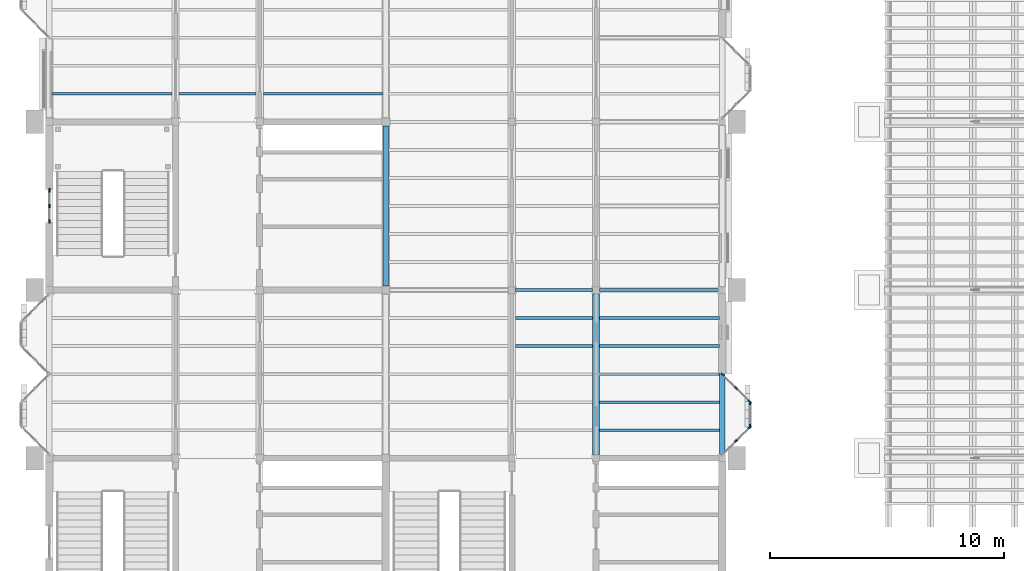
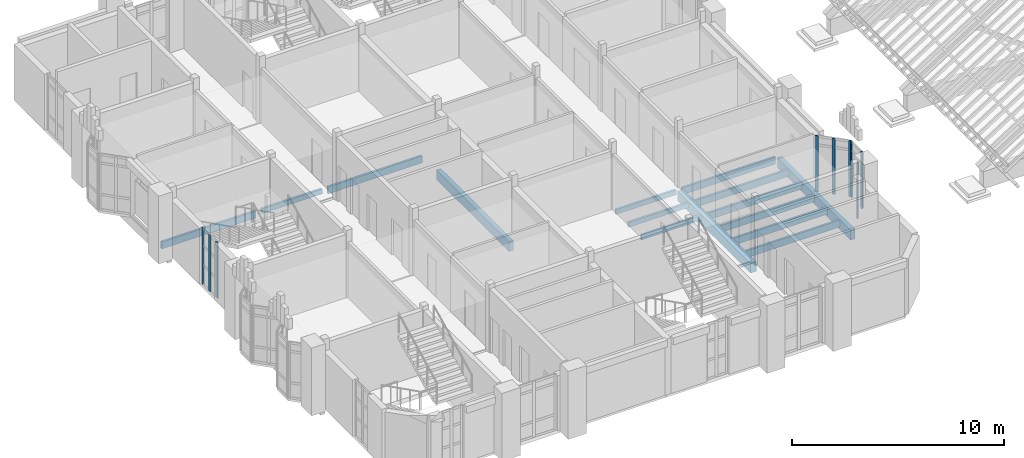
# One storey, part 5 of 71: 15 beams, 10 members, 4 elements without a shape of their own.
"""IFC4 building model written with IfcOpenShell, lengths in metres."""

from ifc_helpers import new_model, si_unit, direction, frame, origin, origin_2d, place, context, subcontext, project, spatial, rectangle, extrude, material, layer, layer_set, material_profile, profile_set, type_object, element, aggregate, save


model = new_model("IFC4")

# Units and contexts
model_context = context("Model", 3, precision=1e-05, world=origin(), true_north=direction((0.0, 1.0)))
body_context = subcontext(model_context, "Body", "Model", "MODEL_VIEW")
ifc_project = project(units=[si_unit("LENGTHUNIT", "METRE"), si_unit("AREAUNIT", "SQUARE_METRE"), si_unit("VOLUMEUNIT", "CUBIC_METRE"), si_unit("PLANEANGLEUNIT", "RADIAN"), si_unit("MASSUNIT", "GRAM", prefix="KILO")], contexts=[model_context])

# Site, building, storey
site_placement = place(None, origin())
site = spatial("IfcSite", under=ifc_project, at=site_placement, CompositionType="ELEMENT")
building_placement = place(site_placement, origin())
building = spatial("IfcBuilding", under=site, at=building_placement, Name="Mazhai Court Health Centre", CompositionType="ELEMENT")
storey_placement = place(building_placement, frame((0.0, 0.0, 10.199951171875)))
storey = spatial("IfcBuildingStorey", under=building, at=storey_placement, Name="L02", CompositionType="ELEMENT", Elevation=10.199951171875)

# Curtain wall, members
ifc_material_1 = material(Name="Teak timber frame, glazed", Category="wood")
ifc_layer_1 = layer(ifc_material_1, 0.10009765625)
ifc_layer_set_1 = layer_set([ifc_layer_1], Name="CURTAIN WALL TIMBER 600")
curtain_wall_type_1 = type_object("IfcCurtainWallType", Name="CURTAIN WALL TIMBER 600", PredefinedType="NOTDEFINED", material=ifc_layer_set_1)
curtain_wall_1_placement = place(storey_placement, origin())
curtain_wall_1 = element("IfcCurtainWall", 1, at=curtain_wall_1_placement, inside=storey, type_object=curtain_wall_type_1, Name="CW-V2-L02-A2", PredefinedType="NOTDEFINED")
ifc_material_2 = material(Name="Teak timber", Category="wood")
ifc_material_profile_1 = material_profile(ifc_material_2, rectangle(XDim=0.06005859375, YDim=0.159912109375, at=origin_2d()), Name="CW MULLION 60x160")
ifc_profile_set_1 = profile_set([ifc_material_profile_1], Name="Teak timber")
member_type = type_object("IfcMemberType", Name="CW MULLION 60x160", PredefinedType="MULLION", material=ifc_profile_set_1)
member_1_placement = place(storey_placement, frame((6.199951171875, 23.530029296875, 0.0), z_axis=(0.0, 0.0, 1.0), x_axis=(-1.0, 0.0, 0.0)))
member_1 = element("IfcMember", 2, at=member_1_placement, type_object=member_type, Name="CW mullion 1", PredefinedType="MULLION", context=body_context, shape_type="SweptSolid", body=[
    extrude(rectangle(XDim=0.06005859375, YDim=0.159912109375, at=origin_2d()), origin(), (0.0, 0.0, 1.0), 3.219970703125),
])
member_2_placement = place(storey_placement, frame((6.199951171875, 24.199951171875, 0.0), z_axis=(0.0, 0.0, 1.0), x_axis=(-1.0, 0.0, 0.0)))
member_2 = element("IfcMember", 3, at=member_2_placement, type_object=member_type, Name="CW mullion 2", PredefinedType="MULLION", context=body_context, shape_type="SweptSolid", body=[
    extrude(rectangle(XDim=0.06005859375, YDim=0.159912109375, at=origin_2d()), origin(), (0.0, 0.0, 1.0), 3.219970703125),
])
member_3_placement = place(storey_placement, frame((6.199951171875, 24.8701171875, 0.0), z_axis=(0.0, 0.0, 1.0), x_axis=(-1.0, 0.0, 0.0)))
member_3 = element("IfcMember", 4, at=member_3_placement, type_object=member_type, Name="CW mullion 3", PredefinedType="MULLION", context=body_context, shape_type="SweptSolid", body=[
    extrude(rectangle(XDim=0.06005859375, YDim=0.159912109375, at=origin_2d()), origin(), (0.0, 0.0, 1.0), 3.219970703125),
])
aggregate(curtain_wall_1, [member_1, member_2, member_3])

ifc_material_3 = material(Name="Teak timber frame, glazed", Category="wood")
ifc_layer_2 = layer(ifc_material_3, 0.10009765625)
ifc_layer_set_2 = layer_set([ifc_layer_2], Name="CURTAIN WALL TIMBER 900")
curtain_wall_type_2 = type_object("IfcCurtainWallType", Name="CURTAIN WALL TIMBER 900", PredefinedType="NOTDEFINED", material=ifc_layer_set_2)
curtain_wall_2_placement = place(storey_placement, origin())
curtain_wall_2 = element("IfcCurtainWall", 5, at=curtain_wall_2_placement, inside=storey, type_object=curtain_wall_type_2, Name="CW-ORIEL-V5-L02-B10-0", PredefinedType="NOTDEFINED")
member_4_placement = place(storey_placement, frame((35.60009765625, 14.139892578125, 0.0), z_axis=(0.0, 0.0, 1.0), x_axis=(-0.707106781187, 0.707106781187, 0.0)))
member_4 = element("IfcMember", 6, at=member_4_placement, type_object=member_type, Name="CW mullion 2", PredefinedType="MULLION", context=body_context, shape_type="SweptSolid", body=[
    extrude(rectangle(XDim=0.06005859375, YDim=0.159912109375, at=origin_2d()), origin(), (0.0, 0.0, 1.0), 3.219970703125),
])
member_5_placement = place(storey_placement, frame((36.1787109375, 14.71875, 0.0), z_axis=(0.0, 0.0, 1.0), x_axis=(-0.707106781187, 0.707106781187, 0.0)))
member_5 = element("IfcMember", 7, at=member_5_placement, type_object=member_type, Name="CW mullion 3", PredefinedType="MULLION", context=body_context, shape_type="SweptSolid", body=[
    extrude(rectangle(XDim=0.06005859375, YDim=0.159912109375, at=origin_2d()), origin(), (0.0, 0.0, 1.0), 3.219970703125),
])
aggregate(curtain_wall_2, [member_4, member_5])

curtain_wall_3_placement = place(storey_placement, origin())
curtain_wall_3 = element("IfcCurtainWall", 8, at=curtain_wall_3_placement, inside=storey, type_object=curtain_wall_type_2, Name="CW-ORIEL-V5-L02-B10-1", PredefinedType="NOTDEFINED")
member_6_placement = place(storey_placement, frame((36.199951171875, 14.77001953125, 0.0), z_axis=(0.0, 0.0, 1.0), x_axis=(-1.0, 0.0, 0.0)))
member_6 = element("IfcMember", 9, at=member_6_placement, type_object=member_type, Name="CW mullion 1", PredefinedType="MULLION", context=body_context, shape_type="SweptSolid", body=[
    extrude(rectangle(XDim=0.06005859375, YDim=0.159912109375, at=origin_2d()), origin(), (0.0, 0.0, 1.0), 3.219970703125),
])
member_7_placement = place(storey_placement, frame((36.199951171875, 15.77001953125, 0.0), z_axis=(0.0, 0.0, 1.0), x_axis=(-1.0, 0.0, 0.0)))
member_7 = element("IfcMember", 10, at=member_7_placement, type_object=member_type, Name="CW mullion 2", PredefinedType="MULLION", context=body_context, shape_type="SweptSolid", body=[
    extrude(rectangle(XDim=0.06005859375, YDim=0.159912109375, at=origin_2d()), origin(), (0.0, 0.0, 1.0), 3.219970703125),
])
aggregate(curtain_wall_3, [member_6, member_7])

curtain_wall_4_placement = place(storey_placement, origin())
curtain_wall_4 = element("IfcCurtainWall", 11, at=curtain_wall_4_placement, inside=storey, type_object=curtain_wall_type_2, Name="CW-ORIEL-V5-L02-B10-2", PredefinedType="NOTDEFINED")
member_8_placement = place(storey_placement, frame((36.1787109375, 15.8212890625, 0.0), z_axis=(0.0, 0.0, 1.0), x_axis=(-0.707106781187, -0.707106781187, 0.0)))
member_8 = element("IfcMember", 12, at=member_8_placement, type_object=member_type, Name="CW mullion 1", PredefinedType="MULLION", context=body_context, shape_type="SweptSolid", body=[
    extrude(rectangle(XDim=0.06005859375, YDim=0.159912109375, at=origin_2d()), origin(), (0.0, 0.0, 1.0), 3.219970703125),
])
member_9_placement = place(storey_placement, frame((35.60009765625, 16.39990234375, 0.0), z_axis=(0.0, 0.0, 1.0), x_axis=(-0.707106781187, -0.707106781187, 0.0)))
member_9 = element("IfcMember", 13, at=member_9_placement, type_object=member_type, Name="CW mullion 2", PredefinedType="MULLION", context=body_context, shape_type="SweptSolid", body=[
    extrude(rectangle(XDim=0.06005859375, YDim=0.159912109375, at=origin_2d()), origin(), (0.0, 0.0, 1.0), 3.219970703125),
])
member_10_placement = place(storey_placement, frame((35.021240234375, 16.978759765625, 0.0), z_axis=(0.0, 0.0, 1.0), x_axis=(-0.707106781187, -0.707106781187, 0.0)))
member_10 = element("IfcMember", 14, at=member_10_placement, type_object=member_type, Name="CW mullion 3", PredefinedType="MULLION", context=body_context, shape_type="SweptSolid", body=[
    extrude(rectangle(XDim=0.06005859375, YDim=0.159912109375, at=origin_2d()), origin(), (0.0, 0.0, 1.0), 3.219970703125),
])
aggregate(curtain_wall_4, [member_8, member_9, member_10])

# Beams
ifc_material_4 = material(Name="Glulam GL24h", Category="wood")
ifc_material_profile_2 = material_profile(ifc_material_4, rectangle(XDim=0.1201171875, YDim=0.280029296875, at=origin_2d()), Name="GL24h 120x280")
ifc_profile_set_2 = profile_set([ifc_material_profile_2], Name="Glulam GL24h")
beam_type_1 = type_object("IfcBeamType", Name="GL24h 120x280 joist", PredefinedType="JOIST", material=ifc_profile_set_2)
for number, where, z_axis, x_axis, name in (
    (15, (11.760009765625, 29.0, -0.260009765625), (1.0, 0.0, 0.0), (0.0, 1.0, 0.0), "joist-V2-L02-3-B1"),
    (16, (26.159912109375, 18.199951171875, -0.260009765625), (1.0, 0.0, 0.0), (0.0, 1.0, 0.0), "joist-V5-L02-1-B4"),
    (17, (26.159912109375, 19.39990234375, -0.260009765625), (1.0, 0.0, 0.0), (0.0, 1.0, 0.0), "joist-V5-L02-1-B5"),
    (18, (26.159912109375, 20.60009765625, -0.260009765625), (1.0, 0.0, 0.0), (0.0, 1.0, 0.0), "joist-V5-L02-2-B0"),
):
    element("IfcBeam", number, at=place(storey_placement, frame(where, z_axis=z_axis, x_axis=x_axis)), inside=storey, type_object=beam_type_1, Name=name, PredefinedType="JOIST", context=body_context, shape_type="SweptSolid", body=[
        extrude(rectangle(XDim=0.1201171875, YDim=0.280029296875, at=origin_2d()), origin(), (0.0, 0.0, 1.0), 3.280029296875),
    ])
ifc_material_5 = material(Name="Glulam GL24h", Category="wood")
ifc_material_profile_3 = material_profile(ifc_material_5, rectangle(XDim=0.1201171875, YDim=0.39990234375, at=origin_2d()), Name="GL24h 120x400")
ifc_profile_set_3 = profile_set([ifc_material_profile_3], Name="Glulam GL24h")
beam_type_2 = type_object("IfcBeamType", Name="GL24h 120x400 joist", PredefinedType="JOIST", material=ifc_profile_set_3)
for number, where, z_axis, x_axis, name in (
    (19, (6.320068359375, 29.0, -0.320068359375), (1.0, 0.0, 0.0), (0.0, 1.0, 0.0), "joist-V2-L02-3-A1"),
    (20, (15.360107421875, 29.0, -0.320068359375), (1.0, 0.0, 0.0), (0.0, 1.0, 0.0), "joist-V2-L02-3-C1"),
    (21, (29.760009765625, 14.60009765625, -0.320068359375), (1.0, 0.0, 0.0), (0.0, 1.0, 0.0), "joist-V5-L02-1-C1"),
    (22, (29.760009765625, 15.800048828125, -0.320068359375), (1.0, 0.0, 0.0), (0.0, 1.0, 0.0), "joist-V5-L02-1-C2"),
    (23, (29.760009765625, 17.0, -0.320068359375), (1.0, 0.0, 0.0), (0.0, 1.0, 0.0), "joist-V5-L02-1-C3"),
    (24, (29.760009765625, 18.199951171875, -0.320068359375), (1.0, 0.0, 0.0), (0.0, 1.0, 0.0), "joist-V5-L02-1-C4"),
    (25, (29.760009765625, 19.39990234375, -0.320068359375), (1.0, 0.0, 0.0), (0.0, 1.0, 0.0), "joist-V5-L02-1-C5"),
):
    element("IfcBeam", number, at=place(storey_placement, frame(where, z_axis=z_axis, x_axis=x_axis)), inside=storey, type_object=beam_type_2, Name=name, PredefinedType="JOIST", context=body_context, shape_type="SweptSolid", body=[
        extrude(rectangle(XDim=0.1201171875, YDim=0.39990234375, at=origin_2d()), origin(), (0.0, 0.0, 1.0), 5.119873046875),
    ])
beam_1_placement = place(storey_placement, frame((29.760009765625, 20.60009765625, -0.320068359375), z_axis=(1.0, 0.0, 0.0), x_axis=(0.0, 1.0, 0.0)))
element("IfcBeam", 26, at=beam_1_placement, inside=storey, type_object=beam_type_2, Name="joist-V5-L02-2-C0", PredefinedType="JOIST", context=body_context, shape_type="SweptSolid", body=[
    extrude(rectangle(XDim=0.1201171875, YDim=0.39990234375, at=origin_2d()), origin(), (0.0, 0.0, 1.0), 5.080078125),
])
ifc_material_6 = material(Name="Glulam GL28h", Category="wood")
ifc_material_profile_4 = material_profile(ifc_material_6, rectangle(XDim=0.239990234375, YDim=0.56005859375, at=origin_2d()), Name="GL28h 240x560")
ifc_profile_set_4 = profile_set([ifc_material_profile_4], Name="Glulam GL28h")
beam_type_3 = type_object("IfcBeamType", Name="GL28h 240x560 beam", PredefinedType="BEAM", material=ifc_profile_set_4)
beam_2_placement = place(storey_placement, frame((35.0, 13.56005859375, -0.39990234375), z_axis=(0.0, 1.0, 0.0), x_axis=(-1.0, 0.0, 0.0)))
element("IfcBeam", 27, at=beam_2_placement, inside=storey, type_object=beam_type_3, Name="beam-V5-L02-1-D", PredefinedType="BEAM", context=body_context, shape_type="SweptSolid", body=[
    extrude(rectangle(XDim=0.239990234375, YDim=0.56005859375, at=origin_2d()), origin(), (0.0, 0.0, 1.0), 6.8798828125),
])
beam_3_placement = place(storey_placement, frame((20.60009765625, 20.780029296875, -0.39990234375), z_axis=(0.0, 1.0, 0.0), x_axis=(-1.0, 0.0, 0.0)))
element("IfcBeam", 28, at=beam_3_placement, inside=storey, type_object=beam_type_3, Name="beam-V5-L02-2-A", PredefinedType="BEAM", context=body_context, shape_type="SweptSolid", body=[
    extrude(rectangle(XDim=0.239990234375, YDim=0.56005859375, at=origin_2d()), origin(), (0.0, 0.0, 1.0), 6.840087890625),
])
ifc_material_7 = material(Name="Glulam GL28h", Category="wood")
ifc_material_profile_5 = material_profile(ifc_material_7, rectangle(XDim=0.320068359375, YDim=0.56005859375, at=origin_2d()), Name="GL28h 320x560")
ifc_profile_set_5 = profile_set([ifc_material_profile_5], Name="Glulam GL28h")
beam_type_4 = type_object("IfcBeamType", Name="GL28h 320x560 beam", PredefinedType="BEAM", material=ifc_profile_set_5)
beam_4_placement = place(storey_placement, frame((29.60009765625, 13.56005859375, -0.39990234375), z_axis=(0.0, 1.0, 0.0), x_axis=(-1.0, 0.0, 0.0)))
element("IfcBeam", 29, at=beam_4_placement, inside=storey, type_object=beam_type_4, Name="beam-V5-L02-1-C", PredefinedType="BEAM", context=body_context, shape_type="SweptSolid", body=[
    extrude(rectangle(XDim=0.320068359375, YDim=0.56005859375, at=origin_2d()), origin(), (0.0, 0.0, 1.0), 6.8798828125),
])

save(model, "model.ifc")
